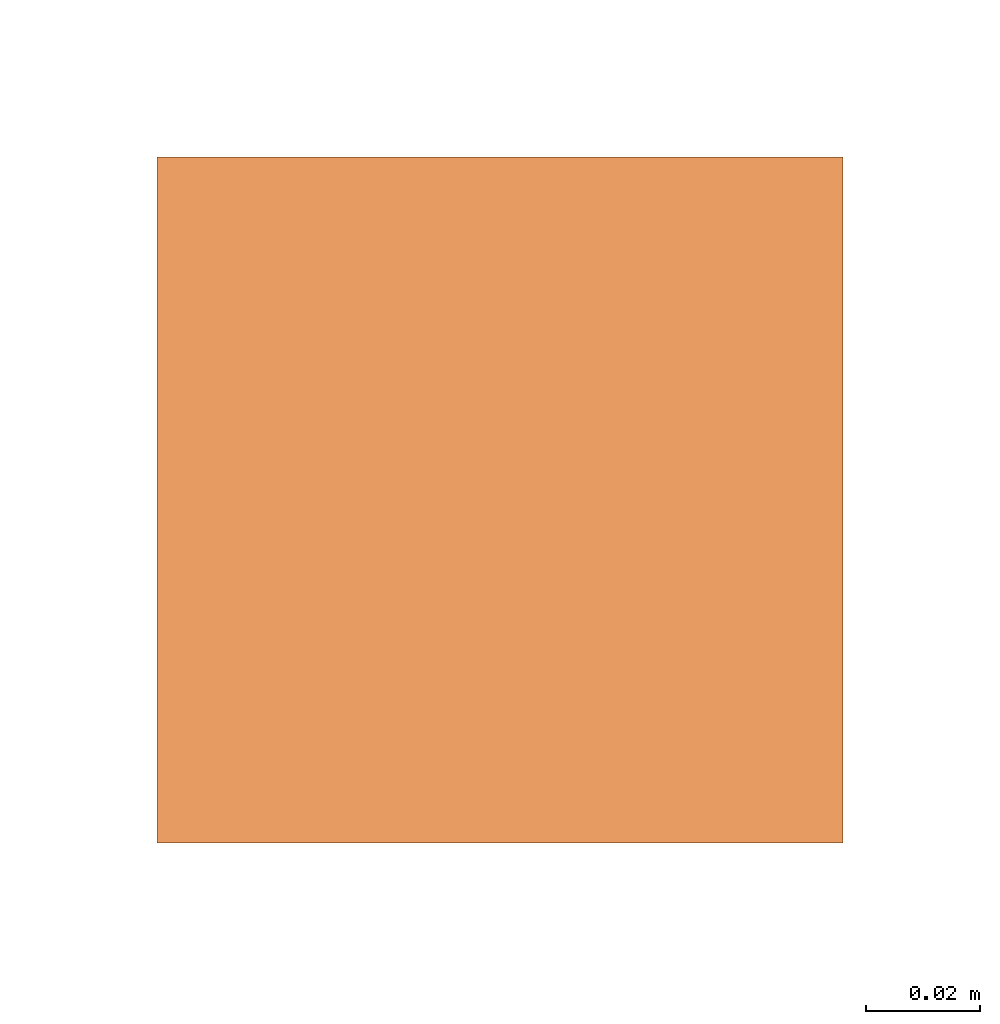
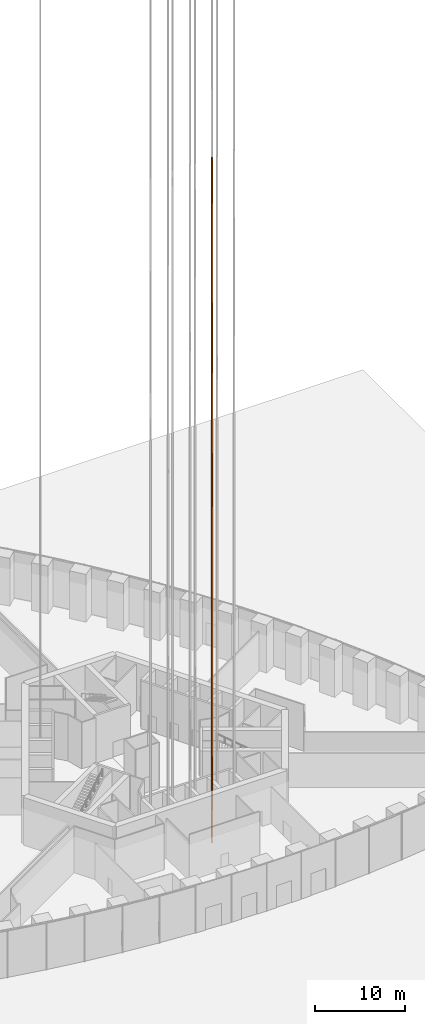
# One storey, part 29 of 43: 1 proxy.
"""IFC4 building model written with IfcOpenShell, lengths in metres."""

from ifc_helpers import new_model, si_unit, direction, frame, origin, origin_2d, place, context, subcontext, project, spatial, rectangle, extrude, element, save


model = new_model("IFC4")

# Units and contexts
model_context = context("Model", 3, precision=1e-05, world=origin(), true_north=direction((0.0, 1.0)))
body_context = subcontext(model_context, "Body", "Model", "MODEL_VIEW")
ifc_project = project(units=[si_unit("LENGTHUNIT", "METRE"), si_unit("AREAUNIT", "SQUARE_METRE"), si_unit("VOLUMEUNIT", "CUBIC_METRE"), si_unit("PLANEANGLEUNIT", "RADIAN"), si_unit("MASSUNIT", "GRAM", prefix="KILO")], contexts=[model_context])

# Site, building, storey
site_placement = place(None, origin())
site = spatial("IfcSite", under=ifc_project, at=site_placement, CompositionType="ELEMENT")
building_placement = place(site_placement, origin())
building = spatial("IfcBuilding", under=site, at=building_placement, Name="Trefoil Bronze Tower", CompositionType="ELEMENT")
storey_placement = place(building_placement, origin())
storey = spatial("IfcBuildingStorey", under=building, at=storey_placement, Name="L00", CompositionType="ELEMENT", Elevation=0.0)

# Proxy
proxy_placement = place(storey_placement, frame((2.534912109375, -11.3125, -1.60009765625), z_axis=(0.0, 0.0, 1.0), x_axis=(1.0, 0.0, 0.0)))
element("IfcBuildingElementProxy", 1, at=proxy_placement, inside=storey, Name="Lift P13 guide rail 2", ObjectType="LIFT GUIDE RAIL", PredefinedType="USERDEFINED", context=body_context, shape_type="SweptSolid", body=[
    extrude(rectangle(XDim=0.1201171875, YDim=0.1201171875, at=origin_2d()), origin(), (0.0, 0.0, 1.0), 93.35009765625),
])

save(model, "model.ifc")
